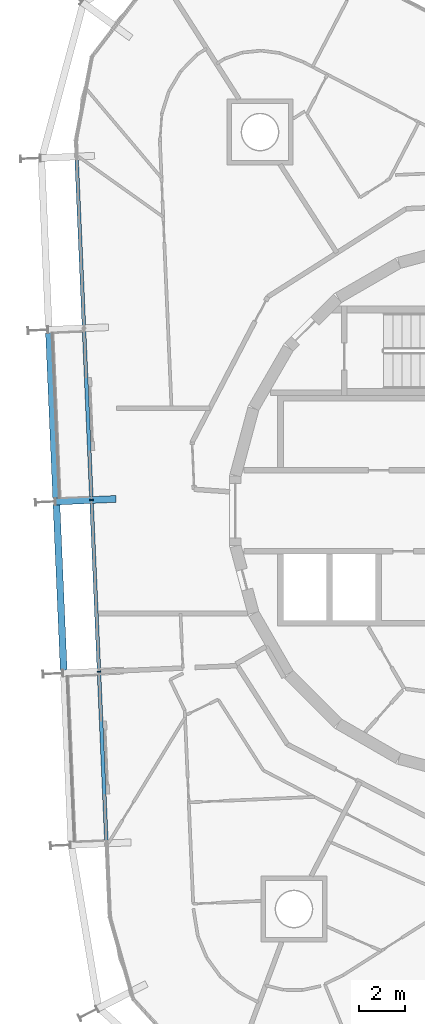
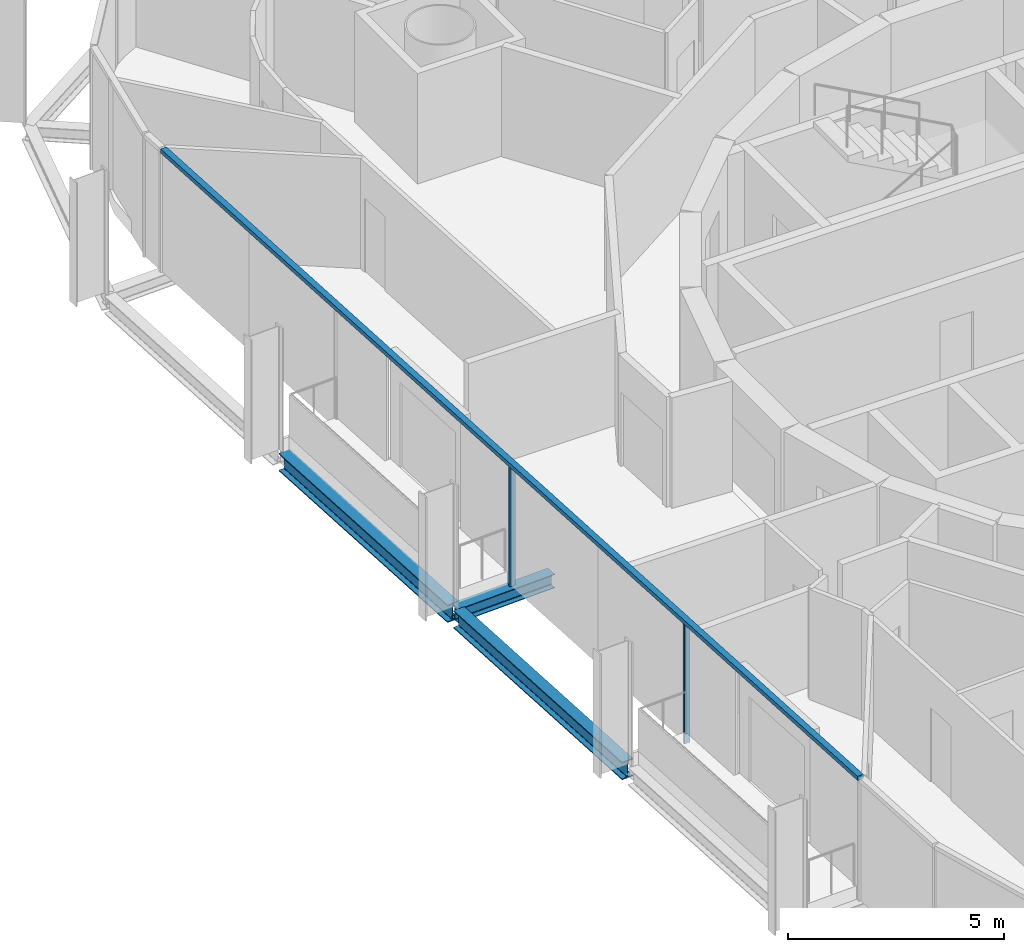
# One storey, part 4 of 18: 3 beams, 3 members, 1 element without a shape of its own.
"""IFC4 building model written with IfcOpenShell, lengths in metres."""

from ifc_helpers import new_model, si_unit, direction, frame, origin, origin_2d, place, context, subcontext, project, spatial, rectangle, i_section, extrude, material, layer, layer_set, material_profile, profile_set, type_object, element, aggregate, save


model = new_model("IFC4")

# Units and contexts
model_context = context("Model", 3, precision=1e-05, world=origin(), true_north=direction((0.0, 1.0)))
body_context = subcontext(model_context, "Body", "Model", "MODEL_VIEW")
ifc_project = project(units=[si_unit("LENGTHUNIT", "METRE"), si_unit("AREAUNIT", "SQUARE_METRE"), si_unit("VOLUMEUNIT", "CUBIC_METRE"), si_unit("PLANEANGLEUNIT", "RADIAN"), si_unit("MASSUNIT", "GRAM", prefix="KILO")], contexts=[model_context])

# Site, building, storey
site_placement = place(None, origin())
site = spatial("IfcSite", under=ifc_project, at=site_placement, CompositionType="ELEMENT")
building_placement = place(site_placement, origin())
building = spatial("IfcBuilding", under=site, at=building_placement, Name="Spindle Arch Residences", CompositionType="ELEMENT")
storey_placement = place(building_placement, frame((0.0, 0.0, 251.199951171875)))
storey = spatial("IfcBuildingStorey", under=building, at=storey_placement, Name="L64", CompositionType="ELEMENT", Elevation=251.199951171875)

# Curtain wall, members
ifc_material_1 = material(Name="Aluminium bronze unitised frame with tinted glass", Category="aluminium")
ifc_layer = layer(ifc_material_1, 0.159912109375)
ifc_layer_set = layer_set([ifc_layer], Name="CW-C typical residential unitised wall")
curtain_wall_type = type_object("IfcCurtainWallType", Name="CW-C typical residential unitised wall", PredefinedType="NOTDEFINED", material=ifc_layer_set)
curtain_wall_placement = place(storey_placement, origin())
curtain_wall = element("IfcCurtainWall", 1, at=curtain_wall_placement, inside=storey, type_object=curtain_wall_type, Name="CW-C L64 run 4", PredefinedType="NOTDEFINED")
ifc_material_2 = material(Name="Aluminium bronze anodised mullion", Category="aluminium")
ifc_material_profile_1 = material_profile(ifc_material_2, rectangle(XDim=0.159912109375, YDim=0.06005859375, at=origin_2d()), Name="MU 60x160")
ifc_profile_set_1 = profile_set([ifc_material_profile_1], Name="Aluminium bronze anodised mullion")
member_type_1 = type_object("IfcMemberType", Name="Bronze mullion 60x160", PredefinedType="MULLION", material=ifc_profile_set_1)
member_1_placement = place(storey_placement, frame((-17.9521484375, 0.472412109375, -0.3798828125), z_axis=(0.0, 0.0, 1.0), x_axis=(0.999048221582, 0.043619387365, 0.0)))
member_1 = element("IfcMember", 2, at=member_1_placement, type_object=member_type_1, Name="CW-C mullion 14", PredefinedType="MULLION", context=body_context, shape_type="SweptSolid", body=[
    extrude(rectangle(XDim=0.159912109375, YDim=0.06005859375, at=origin_2d()), origin(), (0.0, 0.0, 1.0), 3.3798828125),
])
member_2_placement = place(storey_placement, frame((-17.62353515625, -7.050537109375, -0.3798828125), z_axis=(0.0, 0.0, 1.0), x_axis=(0.999048221582, 0.043619387365, 0.0)))
member_2 = element("IfcMember", 3, at=member_2_placement, type_object=member_type_1, Name="CW-C mullion 15", PredefinedType="MULLION", context=body_context, shape_type="SweptSolid", body=[
    extrude(rectangle(XDim=0.159912109375, YDim=0.06005859375, at=origin_2d()), origin(), (0.0, 0.0, 1.0), 3.3798828125),
])
ifc_material_3 = material(Name="Aluminium bronze anodised transom", Category="aluminium")
ifc_material_profile_2 = material_profile(ifc_material_3, rectangle(XDim=0.159912109375, YDim=0.1201171875, at=origin_2d()), Name="TR 120x160")
ifc_profile_set_2 = profile_set([ifc_material_profile_2], Name="Aluminium bronze anodised transom")
member_type_2 = type_object("IfcMemberType", Name="Bronze transom 120x160", PredefinedType="USERDEFINED", material=ifc_profile_set_2)
member_3_placement = place(storey_placement, frame((-18.607666015625, 15.48828125, 3.06005859375), z_axis=(0.043621555075, -0.999048126935, 0.0), x_axis=(0.999048126935, 0.043621555075, 0.0)))
member_3 = element("IfcMember", 4, at=member_3_placement, type_object=member_type_2, Name="CW-C transom 00", ObjectType="TRANSOM", PredefinedType="USERDEFINED", context=body_context, shape_type="SweptSolid", body=[
    extrude(rectangle(XDim=0.159912109375, YDim=0.1201171875, at=origin_2d()), origin(), (0.0, 0.0, 1.0), 30.060302734375),
])
aggregate(curtain_wall, [member_3, member_1, member_2])

# Beams
ifc_material_4 = material(Name="Steel S460ML, intumescent coating R 120", Category="steel")
ifc_material_profile_3 = material_profile(ifc_material_4, i_section(OverallWidth=0.300048828125, OverallDepth=0.5, WebThickness=0.014404296875, FlangeThickness=0.028076171875, FilletRadius=0.027099609375, at=origin_2d()), Name="HEB 500")
ifc_profile_set_3 = profile_set([ifc_material_profile_3], Name="Steel S460ML, intumescent coating R 120")
beam_type_1 = type_object("IfcBeamType", Name="Exoskeleton edge beam HEB 500", PredefinedType="BEAM", material=ifc_profile_set_3)
for number, where, z_axis, x_axis, name in (
    (5, (-19.8134765625, 7.79833984375, -0.6298828125), (0.043655819138, -0.999046630271, 0.0), (0.999046630271, 0.043655819138, 0.0), "Exoskeleton edge beam 14"),
    (6, (-19.48486328125, 0.275390625, -0.6298828125), (0.043622301665, -0.999048094337, 0.0), (0.999048094337, 0.043622301665, 0.0), "Exoskeleton edge beam 15"),
):
    element("IfcBeam", number, at=place(storey_placement, frame(where, z_axis=z_axis, x_axis=x_axis)), inside=storey, type_object=beam_type_1, Name=name, PredefinedType="BEAM", context=body_context, shape_type="SweptSolid", body=[
        extrude(i_section(OverallWidth=0.300048828125, OverallDepth=0.5, WebThickness=0.014404296875, FlangeThickness=0.028076171875, FilletRadius=0.027099609375, at=origin_2d()), origin(), (0.0, 0.0, 1.0), 7.27001953125),
    ])
ifc_material_5 = material(Name="Steel S460ML, intumescent coating R 120", Category="steel")
ifc_material_profile_4 = material_profile(ifc_material_5, i_section(OverallWidth=0.300048828125, OverallDepth=0.389892578125, WebThickness=0.010986328125, FlangeThickness=0.01904296875, FilletRadius=0.027099609375, at=origin_2d()), Name="HEA 400")
ifc_profile_set_4 = profile_set([ifc_material_profile_4], Name="Steel S460ML, intumescent coating R 120")
beam_type_2 = type_object("IfcBeamType", Name="Floor outrigger HEA 400", PredefinedType="BEAM", material=ifc_profile_set_4)
beam_placement = place(storey_placement, frame((-19.5205078125, 0.40380859375, -0.574951171875), z_axis=(0.999046049411, 0.043669109869, 0.0), x_axis=(-0.043669109869, 0.999046049411, 0.0)))
element("IfcBeam", 7, at=beam_placement, inside=storey, type_object=beam_type_2, Name="Floor outrigger 15", PredefinedType="BEAM", context=body_context, shape_type="SweptSolid", body=[
    extrude(i_section(OverallWidth=0.300048828125, OverallDepth=0.389892578125, WebThickness=0.010986328125, FlangeThickness=0.01904296875, FilletRadius=0.027099609375, at=origin_2d()), origin(), (0.0, 0.0, 1.0), 2.64990234375),
])

save(model, "model.ifc")
